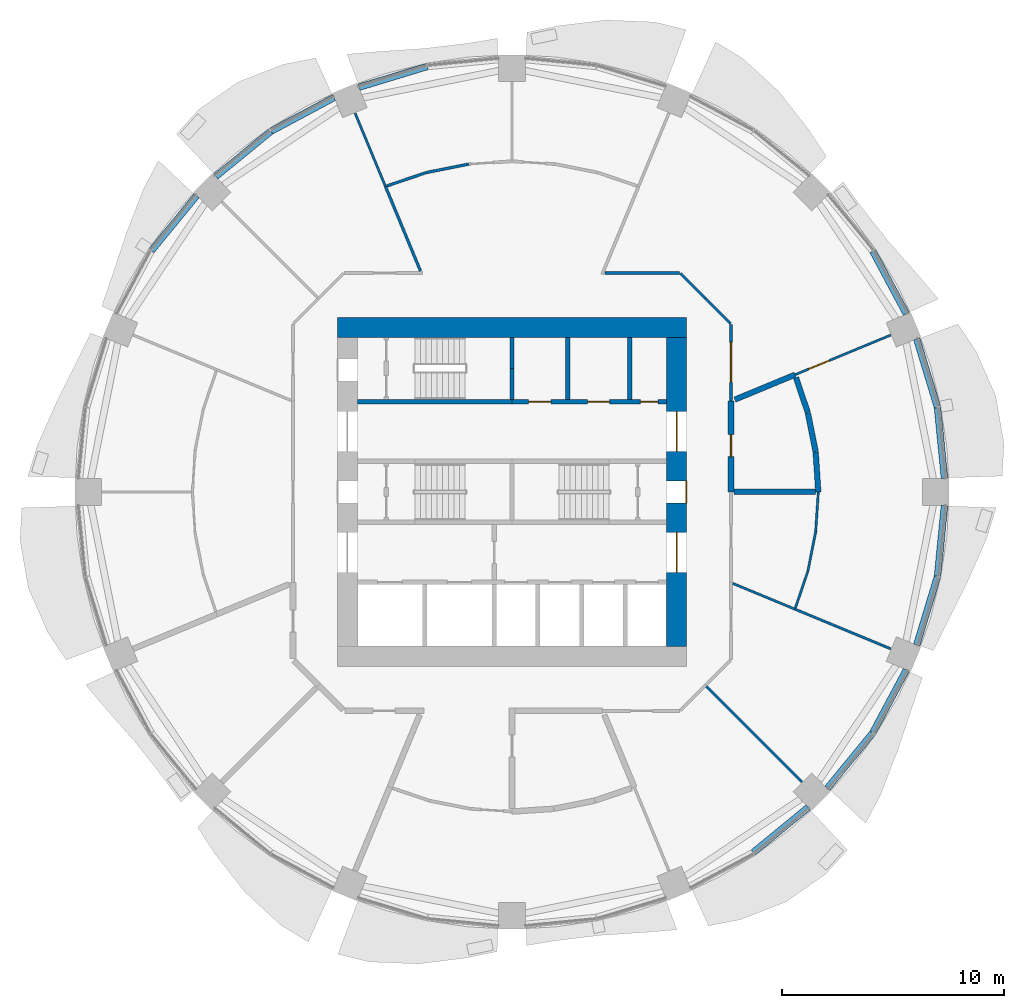
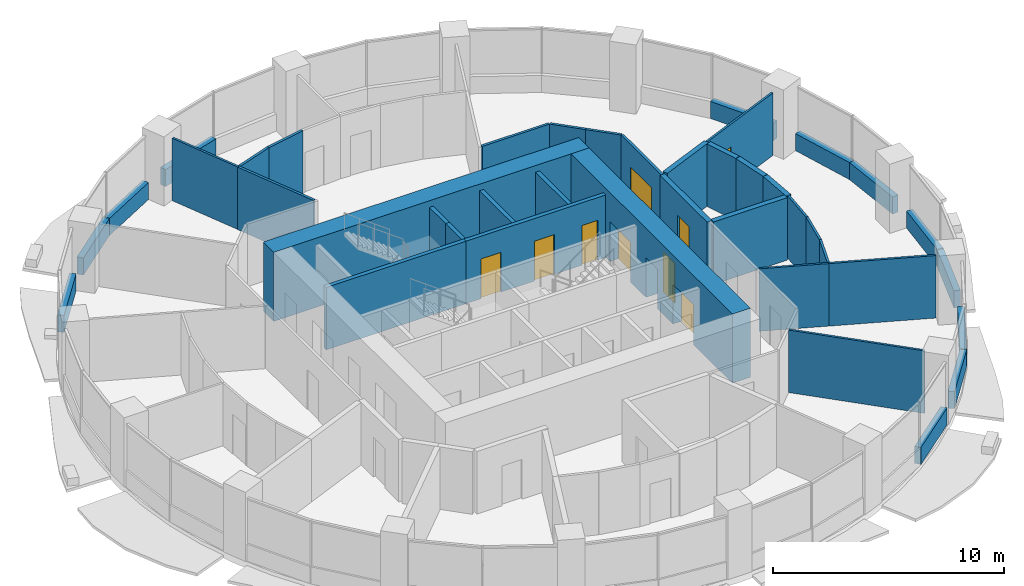
# One storey, part 10 of 15: 41 walls, 9 doors, 9 openings.
"""IFC4 building model written with IfcOpenShell, lengths in metres."""

import ifcopenshell
import ifcopenshell.guid

model = None  # the IFC model being written
_history = None  # IfcOwnerHistory: only IFC2X3 demands one
_inside = {}  # id of a spatial element -> (the spatial element, [elements in it])
_under = {}  # id of a project, library or spatial element -> (it, [spatial elements below it])
_declared = {}  # id of a project -> (the project, [libraries it declares])
_typed = {}  # id of a type object -> (the type object, [elements of that type])
_made_of = {}  # id of a material, layer set ... -> (it, [elements and type objects made of it])


def new_model(schema):
    """Start an empty IFC model of exactly this schema.

    Asked for "IFC4X3", IfcOpenShell would pick the latest addendum, in which some entities
    have other attributes; the version numbers below select the first issue.
    IFC2X3 requires an IfcOwnerHistory on every rooted entity: one is made here for all.
    """
    global model, _history
    if schema == "IFC4X3":
        model = ifcopenshell.file(schema_version=(4, 3, 0, 0))
    else:
        model = ifcopenshell.file(schema=schema)
    _inside.clear()
    _under.clear()
    _declared.clear()
    _typed.clear()
    _made_of.clear()
    _history = None
    if model.schema == "IFC2X3":
        org = make("IfcOrganization", Name="unknown")
        user = make(
            "IfcPersonAndOrganization",
            ThePerson=make("IfcPerson", FamilyName="unknown"),
            TheOrganization=org,
        )
        app = make(
            "IfcApplication",
            ApplicationDeveloper=org,
            Version="unknown",
            ApplicationFullName="unknown",
            ApplicationIdentifier="unknown",
        )
        _history = make(
            "IfcOwnerHistory",
            OwningUser=user,
            OwningApplication=app,
            ChangeAction="ADDED",
            CreationDate=0,
        )
    return model


def make(cls, **values):
    """One entity of the class cls with the attributes given. An attribute that is None is left unset."""
    return model.create_entity(
        cls, **{name: value for name, value in values.items() if value is not None}
    )


def rooted(cls, **values):
    """An entity with a GlobalId (a new one), such as an element, a storey or a relation."""
    return make(cls, GlobalId=ifcopenshell.guid.new(), OwnerHistory=_history, **values)


def si_unit(unit_type, name, prefix=None):
    """IfcSIUnit, for example si_unit("LENGTHUNIT", "METRE", prefix="MILLI")."""
    return make("IfcSIUnit", UnitType=unit_type, Prefix=prefix, Name=name)


def assignment(units):
    """IfcUnitAssignment: the units of a project."""
    return None if units is None else make("IfcUnitAssignment", Units=units)


def point(xyz):
    """IfcCartesianPoint."""
    return None if xyz is None else make("IfcCartesianPoint", Coordinates=xyz)


def direction(xyz):
    """IfcDirection."""
    return None if xyz is None else make("IfcDirection", DirectionRatios=xyz)


def frame(location, z_axis=None, x_axis=None):
    """IfcAxis2Placement3D, a coordinate frame: its origin and axes. An axis left out is left unset."""
    return make(
        "IfcAxis2Placement3D",
        Location=point(location),
        Axis=direction(z_axis),
        RefDirection=direction(x_axis),
    )


def frame_2d(location, x_axis=None):
    """IfcAxis2Placement2D, a coordinate frame in the plane: its origin and x axis."""
    return make(
        "IfcAxis2Placement2D", Location=point(location), RefDirection=direction(x_axis)
    )


def origin():
    """The frame at (0, 0, 0) with its axes left unset."""
    return frame((0.0, 0.0, 0.0))


def place(relative_to, where):
    """IfcLocalPlacement: puts the frame where relative to a parent placement (None: the world)."""
    return make(
        "IfcLocalPlacement", PlacementRelTo=relative_to, RelativePlacement=where
    )


def context(
    kind, dimensions, precision=None, world=None, true_north=None, identifier=None
):
    """IfcGeometricRepresentationContext, for example the 3D "Model" context."""
    return make(
        "IfcGeometricRepresentationContext",
        ContextIdentifier=identifier,
        ContextType=kind,
        CoordinateSpaceDimension=dimensions,
        Precision=precision,
        WorldCoordinateSystem=world,
        TrueNorth=true_north,
    )


def subcontext(parent, identifier, kind, view, scale=None):
    """IfcGeometricRepresentationSubContext, for example "Body" below "Model"."""
    return make(
        "IfcGeometricRepresentationSubContext",
        ContextIdentifier=identifier,
        ContextType=kind,
        ParentContext=parent,
        TargetScale=scale,
        TargetView=view,
    )


def project(units=None, contexts=None):
    """IfcProject with its units and contexts."""
    return rooted(
        "IfcProject",
        Name="project",
        RepresentationContexts=contexts,
        UnitsInContext=assignment(units),
    )


def spatial(cls, under=None, at=None, **own):
    """A site, building, storey or space (cls), placed at a placement, below another one or the project."""
    s = rooted(cls, ObjectPlacement=at, **own)
    if under is not None:
        _under.setdefault(under.id(), (under, []))[1].append(s)
    return s


def profile(cls, at=None, kind="AREA", **sizes):
    """A parametric profile (cls). Its sizes go by their IFC names, for example OverallWidth=200.0."""
    return make(cls, ProfileType=kind, Position=at, **sizes)


def rectangle(**sizes):
    """IfcRectangleProfileDef."""
    return profile("IfcRectangleProfileDef", **sizes)


def extrude(swept, where, along, depth):
    """IfcExtrudedAreaSolid: the profile swept, set in the frame where, extruded along a direction by depth."""
    return make(
        "IfcExtrudedAreaSolid",
        SweptArea=swept,
        Position=where,
        ExtrudedDirection=direction(along),
        Depth=depth,
    )


def shape(context_of_items, identifier, shape_type, items):
    """IfcShapeRepresentation: the items that make up one representation, for example the "Body"."""
    return make(
        "IfcShapeRepresentation",
        ContextOfItems=context_of_items,
        RepresentationIdentifier=identifier,
        RepresentationType=shape_type,
        Items=items,
    )


def material(Name=None, Category=None):
    """IfcMaterial."""
    return make("IfcMaterial", Name=Name, Category=Category)


def layer(
    of_material, thickness, ventilated=None, Name=None, Category=None, Priority=None
):
    """IfcMaterialLayer: one layer of a wall or slab, of a material (None: an air gap)."""
    return make(
        "IfcMaterialLayer",
        Material=of_material,
        LayerThickness=thickness,
        IsVentilated=ventilated,
        Name=Name,
        Category=Category,
        Priority=Priority,
    )


def layer_set(layers, Name=None):
    """IfcMaterialLayerSet."""
    return make("IfcMaterialLayerSet", MaterialLayers=layers, LayerSetName=Name)


def made_of(thing, what):
    """Note that an element or type object is made of a material, layer set ...; save() writes the relation."""
    if what is not None:
        _made_of.setdefault(what.id(), (what, []))[1].append(thing)
    return thing


def type_object(cls, material=None, **own):
    """A type object (cls), such as IfcWallType, which elements share."""
    return made_of(rooted(cls, **own), material)


def element(
    cls,
    number,
    at=None,
    inside=None,
    cuts=None,
    type_object=None,
    material=None,
    context=None,
    identifier="Body",
    shape_type=None,
    held_by="IfcProductDefinitionShape",
    body=None,
    shapes=None,
    **own,
):
    """One element of the class cls, such as IfcWall. Its Tag is "e" and its number.

    at: its placement. inside: the storey or other place that contains it. cuts: it is an
    opening in that element (IfcRelVoidsElement). A single representation is given by context,
    identifier, shape_type and body (its items); several are given by shapes. held_by: the class
    of the entity that holds the representations. save() writes the other relations.
    """
    e = rooted(cls, Tag="e%d" % number, ObjectPlacement=at, **own)
    if body is not None:
        shapes = [shape(context, identifier, shape_type, body)]
    if shapes is not None:
        e.Representation = make(held_by, Representations=shapes)
    if inside is not None:
        _inside.setdefault(inside.id(), (inside, []))[1].append(e)
    if cuts is not None:
        rooted(
            "IfcRelVoidsElement", RelatingBuildingElement=cuts, RelatedOpeningElement=e
        )
    if type_object is not None:
        _typed.setdefault(type_object.id(), (type_object, []))[1].append(e)
    return made_of(e, material)


def fill(opening, filler):
    """IfcRelFillsElement: the door or window that sits in an opening."""
    return rooted(
        "IfcRelFillsElement",
        RelatingOpeningElement=opening,
        RelatedBuildingElement=filler,
    )


def aggregate(whole, parts):
    """IfcRelAggregates: a whole, such as a stair, and the parts it consists of."""
    return rooted("IfcRelAggregates", RelatingObject=whole, RelatedObjects=parts)


def save(model, path):
    """Write the relations noted so far, then the file.

    IfcRelAggregates (storeys below a building ...), IfcRelContainedInSpatialStructure (elements
    in a storey), IfcRelDefinesByType, IfcRelAssociatesMaterial and IfcRelDeclares: one each for
    every whole, place, type object, material and project.
    """
    for whole, parts in _under.values():
        aggregate(whole, parts)
    for where, things in _inside.values():
        rooted(
            "IfcRelContainedInSpatialStructure",
            RelatedElements=things,
            RelatingStructure=where,
        )
    for kind, things in _typed.values():
        rooted("IfcRelDefinesByType", RelatedObjects=things, RelatingType=kind)
    for what, things in _made_of.values():
        rooted("IfcRelAssociatesMaterial", RelatedObjects=things, RelatingMaterial=what)
    for by, libraries in _declared.values():
        rooted("IfcRelDeclares", RelatingContext=by, RelatedDefinitions=libraries)
    model.write(path)


model = new_model("IFC4")

# Units and contexts
model_context = context("Model", 3, precision=1e-05, world=origin(), true_north=direction((0.0, 1.0)))
body_context = subcontext(model_context, "Body", "Model", "MODEL_VIEW")
ifc_project = project(units=[si_unit("LENGTHUNIT", "METRE"), si_unit("AREAUNIT", "SQUARE_METRE"), si_unit("VOLUMEUNIT", "CUBIC_METRE"), si_unit("PLANEANGLEUNIT", "RADIAN"), si_unit("MASSUNIT", "GRAM", prefix="KILO")], contexts=[model_context])

# Site, building, storey
site_placement = place(None, origin())
site = spatial("IfcSite", under=ifc_project, at=site_placement, CompositionType="ELEMENT")
building_placement = place(site_placement, origin())
building = spatial("IfcBuilding", under=site, at=building_placement, Name="Polderwave Tower", CompositionType="ELEMENT")
storey_placement = place(building_placement, frame((0.0, 0.0, 37.14990234375)))
storey = spatial("IfcBuildingStorey", under=building, at=storey_placement, Name="L09", CompositionType="ELEMENT", Elevation=37.14990234375)

# Wall
ifc_material_1 = material(Name="Concrete C80/95", Category="concrete")
ifc_layer_1 = layer(ifc_material_1, 0.89990234375)
ifc_layer_set_1 = layer_set([ifc_layer_1], Name="CORE WALL 900 C80/95")
wall_type_1 = type_object("IfcWallType", Name="CORE WALL 900 C80/95", PredefinedType="SHEAR", material=ifc_layer_set_1)
wall_1_placement = place(storey_placement, frame((-7.8740234375, 7.424072265625, 0.0), z_axis=(0.0, 0.0, 1.0), x_axis=(1.0, 0.0, 0.0)))
element("IfcWall", 1, at=wall_1_placement, inside=storey, type_object=wall_type_1, Name="ST-CORE-L09-N", PredefinedType="SHEAR", context=body_context, shape_type="SweptSolid", body=[
    extrude(rectangle(XDim=15.748046875, YDim=0.89990234375, at=frame_2d((7.8740234375, 0.0))), origin(), (0.0, 0.0, 1.0), 3.650146484375),
])

# Wall, openings, doors
wall_2_placement = place(storey_placement, frame((7.424072265625, -6.97412109375, 0.0), z_axis=(0.0, 0.0, 1.0), x_axis=(0.0, 1.0, 0.0)))
wall_2 = element("IfcWall", 2, at=wall_2_placement, inside=storey, type_object=wall_type_1, Name="ST-CORE-L09-E", PredefinedType="SHEAR", context=body_context, shape_type="SweptSolid", body=[
    extrude(rectangle(XDim=13.9482421875, YDim=0.89990234375, at=frame_2d((6.97412109375, 0.0))), origin(), (0.0, 0.0, 1.0), 3.650146484375),
])
opening_1_placement = place(wall_2_placement, frame((6.47412109375, 0.0, 0.0)))
opening_1 = element("IfcOpeningElement", 3, at=opening_1_placement, cuts=wall_2, Name="Opening L09-D21", PredefinedType="OPENING", context=body_context, shape_type="SweptSolid", body=[
    extrude(rectangle(XDim=1.0, YDim=2.10009765625, at=frame_2d((0.5, 1.050048828125))), frame((0.0, 0.4599609375, 0.0), z_axis=(0.0, -1.0, 0.0), x_axis=(1.0, 0.0, 0.0)), (0.0, 0.0, 1.0), 0.919921875),
])
opening_2_placement = place(wall_2_placement, frame((3.349609375, 0.0, 0.0)))
opening_2 = element("IfcOpeningElement", 4, at=opening_2_placement, cuts=wall_2, Name="Opening L09-D22", PredefinedType="OPENING", context=body_context, shape_type="SweptSolid", body=[
    extrude(rectangle(XDim=1.800048828125, YDim=2.10009765625, at=frame_2d((0.89990234375, 1.050048828125))), frame((0.0, 0.4599609375, 0.0), z_axis=(0.0, -1.0, 0.0), x_axis=(1.0, 0.0, 0.0)), (0.0, 0.0, 1.0), 0.919921875),
])
opening_3_placement = place(wall_2_placement, frame((8.798583984375, 0.0, 0.0)))
opening_3 = element("IfcOpeningElement", 5, at=opening_3_placement, cuts=wall_2, Name="Opening L09-D23", PredefinedType="OPENING", context=body_context, shape_type="SweptSolid", body=[
    extrude(rectangle(XDim=1.800048828125, YDim=2.10009765625, at=frame_2d((0.89990234375, 1.050048828125))), frame((0.0, 0.4599609375, 0.0), z_axis=(0.0, -1.0, 0.0), x_axis=(1.0, 0.0, 0.0)), (0.0, 0.0, 1.0), 0.919921875),
])
ifc_material_2 = material(Name="Steel fire door", Category="steel")
door_type_1 = type_object("IfcDoorType", Name="Lobby entry door pair 1800", OperationType="DOUBLE_DOOR_SINGLE_SWING", PredefinedType="DOOR", material=ifc_material_2)
door_1_placement = place(opening_2_placement, frame((1.800048828125, 0.0, 0.0), z_axis=(0.0, 0.0, 1.0), x_axis=(-1.0, 0.0, 0.0)))
door_1 = element("IfcDoor", 6, at=door_1_placement, inside=storey, type_object=door_type_1, Name="South lobby entry door", OperationType="DOUBLE_DOOR_SINGLE_SWING", OverallHeight=2.10009765625, OverallWidth=1.800048828125, PredefinedType="DOOR", context=body_context, shape_type="SweptSolid", body=[
    extrude(rectangle(XDim=1.800048828125, YDim=2.10009765625, at=frame_2d((0.89990234375, 1.050048828125))), frame((0.0, 0.02490234375, 0.0), z_axis=(0.0, -1.0, 0.0), x_axis=(1.0, 0.0, 0.0)), (0.0, 0.0, 1.0), 0.050048828125),
])
fill(opening_2, door_1)
door_2_placement = place(opening_3_placement, frame((1.800048828125, 0.0, 0.0), z_axis=(0.0, 0.0, 1.0), x_axis=(-1.0, 0.0, 0.0)))
door_2 = element("IfcDoor", 7, at=door_2_placement, inside=storey, type_object=door_type_1, Name="North lobby entry door", OperationType="DOUBLE_DOOR_SINGLE_SWING", OverallHeight=2.10009765625, OverallWidth=1.800048828125, PredefinedType="DOOR", context=body_context, shape_type="SweptSolid", body=[
    extrude(rectangle(XDim=1.800048828125, YDim=2.10009765625, at=frame_2d((0.89990234375, 1.050048828125))), frame((0.0, 0.02490234375, 0.0), z_axis=(0.0, -1.0, 0.0), x_axis=(1.0, 0.0, 0.0)), (0.0, 0.0, 1.0), 0.050048828125),
])
fill(opening_3, door_2)
door_type_2 = type_object("IfcDoorType", Name="Stair door 1000", OperationType="NOTDEFINED", PredefinedType="DOOR", material=ifc_material_2)
door_3_placement = place(opening_1_placement, frame((1.0, 0.0, 0.0), z_axis=(0.0, 0.0, 1.0), x_axis=(-1.0, 0.0, 0.0)))
door_3 = element("IfcDoor", 8, at=door_3_placement, inside=storey, type_object=door_type_2, Name="Stair B entry door", OperationType="SINGLE_SWING_LEFT", OverallHeight=2.10009765625, OverallWidth=1.0, PredefinedType="DOOR", context=body_context, shape_type="SweptSolid", body=[
    extrude(rectangle(XDim=1.0, YDim=2.10009765625, at=frame_2d((0.5, 1.050048828125))), frame((0.0, 0.4501953125, 0.0), z_axis=(0.0, -1.0, 0.0), x_axis=(1.0, 0.0, 0.0)), (0.0, 0.0, 1.0), 0.050048828125),
])
fill(opening_1, door_3)

# Walls
ifc_material_3 = material(Name="Concrete C50/60 (board-marked)", Category="concrete")
ifc_layer_2 = layer(ifc_material_3, 0.300048828125)
ifc_layer_set_2 = layer_set([ifc_layer_2], Name="Concrete spandrel upstand C50/60")
wall_type_2 = type_object("IfcWallType", Name="Concrete spandrel upstand C50/60", PredefinedType="SOLIDWALL", material=ifc_layer_set_2)
wall_3_placement = place(storey_placement, frame((19.49951171875, 0.61279296875, 0.0), z_axis=(0.0, 0.0, 1.0), x_axis=(-0.098002102993, 0.995186207606, 0.0)))
element("IfcWall", 9, at=wall_3_placement, inside=storey, type_object=wall_type_2, Name="Spandrel L09 1a", PredefinedType="SOLIDWALL", context=body_context, shape_type="SweptSolid", body=[
    extrude(rectangle(XDim=3.20361328125, YDim=0.300048828125, at=frame_2d((1.601806640625, 0.0))), origin(), (0.0, 0.0, 1.0), 0.900146484375),
])
wall_4_placement = place(storey_placement, frame((19.1796875, 3.830322265625, 0.0), z_axis=(0.0, 0.0, 1.0), x_axis=(-0.290472877795, 0.956883225512, 0.0)))
element("IfcWall", 10, at=wall_4_placement, inside=storey, type_object=wall_type_2, Name="Spandrel L09 1b", PredefinedType="SOLIDWALL", context=body_context, shape_type="SweptSolid", body=[
    extrude(rectangle(XDim=3.202392578125, YDim=0.300048828125, at=frame_2d((1.60107421875, 0.0))), origin(), (0.0, 0.0, 1.0), 0.900146484375),
])
wall_5_placement = place(storey_placement, frame((17.77978515625, 8.0283203125, 0.0), z_axis=(0.0, 0.0, 1.0), x_axis=(-0.471284265614, 0.881981372243, 0.0)))
element("IfcWall", 11, at=wall_5_placement, inside=storey, type_object=wall_type_2, Name="Spandrel L09 2a", PredefinedType="SOLIDWALL", context=body_context, shape_type="SweptSolid", body=[
    extrude(rectangle(XDim=3.20361328125, YDim=0.300048828125, at=frame_2d((1.601806640625, 0.0))), origin(), (0.0, 0.0, 1.0), 0.900146484375),
])
wall_6_placement = place(storey_placement, frame((-3.830322265625, 19.1796875, 0.0), z_axis=(0.0, 0.0, 1.0), x_axis=(-0.956883225512, -0.290472877795, 0.0)))
element("IfcWall", 12, at=wall_6_placement, inside=storey, type_object=wall_type_2, Name="Spandrel L09 5b", PredefinedType="SOLIDWALL", context=body_context, shape_type="SweptSolid", body=[
    extrude(rectangle(XDim=3.202392578125, YDim=0.300048828125, at=frame_2d((1.60107421875, 0.0))), origin(), (0.0, 0.0, 1.0), 0.900146484375),
])
wall_7_placement = place(storey_placement, frame((-8.0283203125, 17.77978515625, 0.0), z_axis=(0.0, 0.0, 1.0), x_axis=(-0.881981372243, -0.471284265614, 0.0)))
element("IfcWall", 13, at=wall_7_placement, inside=storey, type_object=wall_type_2, Name="Spandrel L09 6a", PredefinedType="SOLIDWALL", context=body_context, shape_type="SweptSolid", body=[
    extrude(rectangle(XDim=3.20361328125, YDim=0.300048828125, at=frame_2d((1.601806640625, 0.0))), origin(), (0.0, 0.0, 1.0), 0.900146484375),
])
for number, where, z_axis, x_axis, name in (
    (14, (-10.878662109375, 16.25341796875, 0.0), (0.0, 0.0, 1.0), (-0.773141427091, -0.634233658611, 0.0), "Spandrel L09 6b"),
    (15, (-14.222412109375, 13.3544921875, 0.0), (0.0, 0.0, 1.0), (-0.634233658611, -0.773141427091, 0.0), "Spandrel L09 7a"),
    (16, (10.878662109375, -16.25341796875, 0.0), (0.0, 0.0, 1.0), (0.773141427091, 0.634233658611, 0.0), "Spandrel L09 14b"),
    (17, (14.222412109375, -13.3544921875, 0.0), (0.0, 0.0, 1.0), (0.634233658611, 0.773141427091, 0.0), "Spandrel L09 15a"),
):
    element("IfcWall", number, at=place(storey_placement, frame(where, z_axis=z_axis, x_axis=x_axis)), inside=storey, type_object=wall_type_2, Name=name, PredefinedType="SOLIDWALL", context=body_context, shape_type="SweptSolid", body=[
        extrude(rectangle(XDim=3.202392578125, YDim=0.300048828125, at=frame_2d((1.60107421875, 0.0))), origin(), (0.0, 0.0, 1.0), 0.900146484375),
    ])
wall_8_placement = place(storey_placement, frame((16.27001953125, -10.853759765625, 0.0), z_axis=(0.0, 0.0, 1.0), x_axis=(0.471284265614, 0.881981372243, 0.0)))
element("IfcWall", 18, at=wall_8_placement, inside=storey, type_object=wall_type_2, Name="Spandrel L09 15b", PredefinedType="SOLIDWALL", context=body_context, shape_type="SweptSolid", body=[
    extrude(rectangle(XDim=3.20361328125, YDim=0.300048828125, at=frame_2d((1.601806640625, 0.0))), origin(), (0.0, 0.0, 1.0), 0.900146484375),
])
wall_9_placement = place(storey_placement, frame((18.24951171875, -6.89453125, 0.0), z_axis=(0.0, 0.0, 1.0), x_axis=(0.290472877795, 0.956883225512, 0.0)))
element("IfcWall", 19, at=wall_9_placement, inside=storey, type_object=wall_type_2, Name="Spandrel L09 16a", PredefinedType="SOLIDWALL", context=body_context, shape_type="SweptSolid", body=[
    extrude(rectangle(XDim=3.202392578125, YDim=0.300048828125, at=frame_2d((1.60107421875, 0.0))), origin(), (0.0, 0.0, 1.0), 0.900146484375),
])
wall_10_placement = place(storey_placement, frame((19.185546875, -3.801025390625, 0.0), z_axis=(0.0, 0.0, 1.0), x_axis=(0.098002102993, 0.995186207606, 0.0)))
element("IfcWall", 20, at=wall_10_placement, inside=storey, type_object=wall_type_2, Name="Spandrel L09 16b", PredefinedType="SOLIDWALL", context=body_context, shape_type="SweptSolid", body=[
    extrude(rectangle(XDim=3.20361328125, YDim=0.300048828125, at=frame_2d((1.601806640625, 0.0))), origin(), (0.0, 0.0, 1.0), 0.900146484375),
])
ifc_material_4 = material(Name="Gypsum board partition")
ifc_layer_3 = layer(ifc_material_4, 0.199951171875)
ifc_layer_set_3 = layer_set([ifc_layer_3], Name="Core room partition 200")
wall_type_3 = type_object("IfcWallType", Name="Core room partition 200", PredefinedType="PARTITIONING", material=ifc_layer_set_3)
wall_11_placement = place(storey_placement, frame((2.508544921875, 4.174072265625, 0.0), z_axis=(0.0, 0.0, 1.0), x_axis=(0.0, 1.0, 0.0)))
element("IfcWall", 21, at=wall_11_placement, inside=storey, type_object=wall_type_3, Name="L09 room partition N1", PredefinedType="PARTITIONING", context=body_context, shape_type="SweptSolid", body=[
    extrude(rectangle(XDim=2.800048828125, YDim=0.199951171875, at=frame_2d((1.39990234375, 0.0))), origin(), (0.0, 0.0, 1.0), 3.300048828125),
])
ifc_material_5 = material(Name="Concrete C50/60", Category="concrete")
ifc_layer_4 = layer(ifc_material_5, 0.199951171875)
ifc_layer_set_4 = layer_set([ifc_layer_4], Name="Core web wall 200")
wall_type_4 = type_object("IfcWallType", Name="Core web wall 200", PredefinedType="SHEAR", material=ifc_layer_set_4)
wall_12_placement = place(storey_placement, frame((-6.97412109375, 4.073974609375, 0.0), z_axis=(0.0, 0.0, 1.0), x_axis=(1.0, 0.0, 0.0)))
element("IfcWall", 22, at=wall_12_placement, inside=storey, type_object=wall_type_4, Name="L09 north front wall 1", PredefinedType="SHEAR", context=body_context, shape_type="SweptSolid", body=[
    extrude(rectangle(XDim=6.97412109375, YDim=0.199951171875, at=frame_2d((3.487060546875, 0.0))), origin(), (0.0, 0.0, 1.0), 3.300048828125),
])

# Wall, openings, doors
wall_13_placement = place(storey_placement, frame((0.0, 4.073974609375, 0.0), z_axis=(0.0, 0.0, 1.0), x_axis=(1.0, 0.0, 0.0)))
wall_13 = element("IfcWall", 23, at=wall_13_placement, inside=storey, type_object=wall_type_4, Name="L09 north front wall 2", PredefinedType="SHEAR", context=body_context, shape_type="SweptSolid", body=[
    extrude(rectangle(XDim=6.97412109375, YDim=0.199951171875, at=frame_2d((3.487060546875, 0.0))), origin(), (0.0, 0.0, 1.0), 3.300048828125),
])
opening_4_placement = place(wall_13_placement, frame((0.754150390625, 0.0, 0.0)))
opening_4 = element("IfcOpeningElement", 24, at=opening_4_placement, cuts=wall_13, Name="Opening L09-D14", PredefinedType="OPENING", context=body_context, shape_type="SweptSolid", body=[
    extrude(rectangle(XDim=1.0, YDim=2.10009765625, at=frame_2d((0.5, 1.050048828125))), frame((0.0, 0.10986328125, 0.0), z_axis=(0.0, -1.0, 0.0), x_axis=(1.0, 0.0, 0.0)), (0.0, 0.0, 1.0), 0.219970703125),
])
opening_5_placement = place(wall_13_placement, frame((3.406982421875, 0.0, 0.0)))
opening_5 = element("IfcOpeningElement", 25, at=opening_5_placement, cuts=wall_13, Name="Opening L09-D15", PredefinedType="OPENING", context=body_context, shape_type="SweptSolid", body=[
    extrude(rectangle(XDim=1.0, YDim=2.10009765625, at=frame_2d((0.5, 1.050048828125))), frame((0.0, 0.10986328125, 0.0), z_axis=(0.0, -1.0, 0.0), x_axis=(1.0, 0.0, 0.0)), (0.0, 0.0, 1.0), 0.219970703125),
])
opening_6_placement = place(wall_13_placement, frame((5.789794921875, 0.0, 0.0)))
opening_6 = element("IfcOpeningElement", 26, at=opening_6_placement, cuts=wall_13, Name="Opening L09-D16", PredefinedType="OPENING", context=body_context, shape_type="SweptSolid", body=[
    extrude(rectangle(XDim=0.800048828125, YDim=2.10009765625, at=frame_2d((0.39990234375, 1.050048828125))), frame((0.0, 0.10986328125, 0.0), z_axis=(0.0, -1.0, 0.0), x_axis=(1.0, 0.0, 0.0)), (0.0, 0.0, 1.0), 0.219970703125),
])
ifc_material_6 = material(Name="Timber door leaf", Category="wood")
door_type_3 = type_object("IfcDoorType", Name="Accessible WC door 1000", OperationType="NOTDEFINED", PredefinedType="DOOR", material=ifc_material_6)
door_4_placement = place(opening_4_placement, origin())
door_4 = element("IfcDoor", 27, at=door_4_placement, inside=storey, type_object=door_type_3, Name="Accessible WC door", OperationType="SINGLE_SWING_LEFT", OverallHeight=2.10009765625, OverallWidth=1.0, PredefinedType="DOOR", context=body_context, shape_type="SweptSolid", body=[
    extrude(rectangle(XDim=1.0, YDim=2.10009765625, at=frame_2d((0.5, 1.050048828125))), frame((0.0, 0.02490234375, 0.0), z_axis=(0.0, -1.0, 0.0), x_axis=(1.0, 0.0, 0.0)), (0.0, 0.0, 1.0), 0.050048828125),
])
fill(opening_4, door_4)
door_type_4 = type_object("IfcDoorType", Name="Riser door 800", OperationType="NOTDEFINED", PredefinedType="DOOR", material=ifc_material_2)
door_5_placement = place(opening_6_placement, frame((0.800048828125, 0.0, 0.0), z_axis=(0.0, 0.0, 1.0), x_axis=(-1.0, 0.0, 0.0)))
door_5 = element("IfcDoor", 28, at=door_5_placement, inside=storey, type_object=door_type_4, Name="Riser door", OperationType="SINGLE_SWING_LEFT", OverallHeight=2.10009765625, OverallWidth=0.800048828125, PredefinedType="DOOR", context=body_context, shape_type="SweptSolid", body=[
    extrude(rectangle(XDim=0.800048828125, YDim=2.10009765625, at=frame_2d((0.39990234375, 1.050048828125))), frame((0.0, 0.02490234375, 0.0), z_axis=(0.0, -1.0, 0.0), x_axis=(1.0, 0.0, 0.0)), (0.0, 0.0, 1.0), 0.050048828125),
])
fill(opening_6, door_5)
door_type_5 = type_object("IfcDoorType", Name="Room door 1000", OperationType="NOTDEFINED", PredefinedType="DOOR", material=ifc_material_6)
door_6_placement = place(opening_5_placement, origin())
door_6 = element("IfcDoor", 29, at=door_6_placement, inside=storey, type_object=door_type_5, Name="Nutrient dosing room door", OperationType="SINGLE_SWING_RIGHT", OverallHeight=2.10009765625, OverallWidth=1.0, PredefinedType="DOOR", context=body_context, shape_type="SweptSolid", body=[
    extrude(rectangle(XDim=1.0, YDim=2.10009765625, at=frame_2d((0.5, 1.050048828125))), frame((0.0, 0.02490234375, 0.0), z_axis=(0.0, -1.0, 0.0), x_axis=(1.0, 0.0, 0.0)), (0.0, 0.0, 1.0), 0.050048828125),
])
fill(opening_5, door_6)

# Walls
wall_14_placement = place(storey_placement, frame((0.0, 4.174072265625, 0.0), z_axis=(0.0, 0.0, 1.0), x_axis=(0.0, 1.0, 0.0)))
element("IfcWall", 30, at=wall_14_placement, inside=storey, type_object=wall_type_4, Name="L09 stair C wall south", PredefinedType="SHEAR", context=body_context, shape_type="SweptSolid", body=[
    extrude(rectangle(XDim=1.39990234375, YDim=0.199951171875, at=frame_2d((0.699951171875, 0.0))), origin(), (0.0, 0.0, 1.0), 3.300048828125),
])
wall_15_placement = place(storey_placement, frame((0.0, 5.573974609375, 0.0), z_axis=(0.0, 0.0, 1.0), x_axis=(0.0, 1.0, 0.0)))
element("IfcWall", 31, at=wall_15_placement, inside=storey, type_object=wall_type_4, Name="L09 stair C wall north", PredefinedType="SHEAR", context=body_context, shape_type="SweptSolid", body=[
    extrude(rectangle(XDim=1.400146484375, YDim=0.199951171875, at=frame_2d((0.7001953125, 0.0))), origin(), (0.0, 0.0, 1.0), 3.300048828125),
])
ifc_material_7 = material(Name="Fire-resisting board on steel studs", Category="steel")
ifc_layer_5 = layer(ifc_material_7, 0.125)
ifc_layer_set_5 = layer_set([ifc_layer_5], Name="Corridor wall 125 mm EI 60")
wall_type_5 = type_object("IfcWallType", Name="Corridor wall 125 mm EI 60", PredefinedType="PARTITIONING", material=ifc_layer_set_5)
wall_16_placement = place(storey_placement, frame((8.722412109375, 8.722412109375, 0.0), z_axis=(0.0, 0.0, 1.0), x_axis=(0.70718294931, -0.707030604857, 0.0)))
element("IfcWall", 32, at=wall_16_placement, inside=storey, type_object=wall_type_5, Name="IN-L09-W002", PredefinedType="PARTITIONING", context=body_context, shape_type="SweptSolid", body=[
    extrude(rectangle(XDim=1.6025390625, YDim=0.125, at=frame_2d((0.80126953125, 0.0))), origin(), (0.0, 0.0, 1.0), 3.300048828125),
])

# Wall, opening, door
wall_17_placement = place(storey_placement, frame((9.8740234375, 7.545166015625, 0.0), z_axis=(0.0, 0.0, 1.0), x_axis=(0.0, -1.0, 0.0)))
wall_17 = element("IfcWall", 33, at=wall_17_placement, inside=storey, type_object=wall_type_5, Name="IN-L09-W003", PredefinedType="PARTITIONING", context=body_context, shape_type="SweptSolid", body=[
    extrude(rectangle(XDim=3.455322265625, YDim=0.125, at=frame_2d((1.7275390625, 0.0))), origin(), (0.0, 0.0, 1.0), 3.300048828125),
])
opening_7_placement = place(wall_17_placement, frame((0.800048828125, 0.0, 0.0)))
opening_7 = element("IfcOpeningElement", 34, at=opening_7_placement, cuts=wall_17, Name="Opening L09-D51", PredefinedType="OPENING", context=body_context, shape_type="SweptSolid", body=[
    extrude(rectangle(XDim=1.800048828125, YDim=2.10009765625, at=frame_2d((0.89990234375, 1.050048828125))), frame((0.0, 0.072509765625, 0.0), z_axis=(0.0, -1.0, 0.0), x_axis=(1.0, 0.0, 0.0)), (0.0, 0.0, 1.0), 0.14501953125),
])
ifc_material_8 = material(Name="Timber fire door leaves", Category="wood")
door_type_6 = type_object("IfcDoorType", Name="Double fire door FD30S 1800 x 2100", OperationType="NOTDEFINED", PredefinedType="DOOR", material=ifc_material_8)
door_7_placement = place(opening_7_placement, origin())
door_7 = element("IfcDoor", 35, at=door_7_placement, inside=storey, type_object=door_type_6, Name="Door L09-D51", OperationType="DOUBLE_DOOR_SINGLE_SWING", OverallHeight=2.10009765625, OverallWidth=1.800048828125, PredefinedType="DOOR", context=body_context, shape_type="SweptSolid", body=[
    extrude(rectangle(XDim=1.800048828125, YDim=2.10009765625, at=frame_2d((0.89990234375, 1.050048828125))), frame((0.0, 0.02490234375, 0.0), z_axis=(0.0, -1.0, 0.0), x_axis=(1.0, 0.0, 0.0)), (0.0, 0.0, 1.0), 0.050048828125),
])
fill(opening_7, door_7)

# Walls
wall_18_placement = place(storey_placement, frame((4.183349609375, 9.8740234375, 0.0), z_axis=(0.0, 0.0, 1.0), x_axis=(1.0, 0.0, 0.0)))
element("IfcWall", 36, at=wall_18_placement, inside=storey, type_object=wall_type_5, Name="IN-L09-W007", PredefinedType="PARTITIONING", context=body_context, shape_type="SweptSolid", body=[
    extrude(rectangle(XDim=3.36181640625, YDim=0.125, at=frame_2d((1.680908203125, 0.0))), origin(), (0.0, 0.0, 1.0), 3.300048828125),
])
wall_19_placement = place(storey_placement, frame((7.58935546875, 9.855712890625, 0.0), z_axis=(0.0, 0.0, 1.0), x_axis=(0.707030604857, -0.70718294931, 0.0)))
element("IfcWall", 37, at=wall_19_placement, inside=storey, type_object=wall_type_5, Name="IN-L09-W008", PredefinedType="PARTITIONING", context=body_context, shape_type="SweptSolid", body=[
    extrude(rectangle(XDim=1.6025390625, YDim=0.125, at=frame_2d((0.80126953125, 0.0))), origin(), (0.0, 0.0, 1.0), 3.300048828125),
])
wall_20_placement = place(storey_placement, frame((-5.642578125, 13.796630859375, 0.0), z_axis=(0.0, 0.0, 1.0), x_axis=(0.94695470169, 0.321367068859, 0.0)))
element("IfcWall", 38, at=wall_20_placement, inside=storey, type_object=wall_type_5, Name="IN-L09-W037", PredefinedType="PARTITIONING", context=body_context, shape_type="SweptSolid", body=[
    extrude(rectangle(XDim=1.87939453125, YDim=0.125, at=frame_2d((0.939697265625, 0.0))), origin(), (0.0, 0.0, 1.0), 3.300048828125),
])
wall_21_placement = place(storey_placement, frame((-3.85498046875, 14.40283203125, 0.0), z_axis=(0.0, 0.0, 1.0), x_axis=(0.980807266515, 0.194979757801, 0.0)))
element("IfcWall", 39, at=wall_21_placement, inside=storey, type_object=wall_type_5, Name="IN-L09-W038", PredefinedType="PARTITIONING", context=body_context, shape_type="SweptSolid", body=[
    extrude(rectangle(XDim=1.942138671875, YDim=0.125, at=frame_2d((0.97119140625, 0.0))), origin(), (0.0, 0.0, 1.0), 3.300048828125),
])
wall_22_placement = place(storey_placement, frame((-4.125732421875, 9.96044921875, 0.0), z_axis=(0.0, 0.0, 1.0), x_axis=(-0.382699951867, 0.923872689736, 0.0)))
element("IfcWall", 40, at=wall_22_placement, inside=storey, type_object=wall_type_5, Name="IN-L09-W040", PredefinedType="PARTITIONING", context=body_context, shape_type="SweptSolid", body=[
    extrude(rectangle(XDim=4.128662109375, YDim=0.125, at=frame_2d((2.064453125, 0.0))), origin(), (0.0, 0.0, 1.0), 3.300048828125),
])

# Wall, opening, door
ifc_material_9 = material(Name="Plasterboard on steel studs", Category="steel")
ifc_layer_6 = layer(ifc_material_9, 0.10009765625)
ifc_layer_set_6 = layer_set([ifc_layer_6], Name="Partition 100 mm plasterboard on steel studs")
wall_type_6 = type_object("IfcWallType", Name="Partition 100 mm plasterboard on steel studs", PredefinedType="PARTITIONING", material=ifc_layer_set_6)
wall_23_placement = place(storey_placement, frame((17.0732421875, 7.072021484375, 0.0), z_axis=(0.0, 0.0, 1.0), x_axis=(-0.92387920118, -0.382684232268, 0.0)))
wall_23 = element("IfcWall", 41, at=wall_23_placement, inside=storey, type_object=wall_type_6, Name="IN-L09-W024", PredefinedType="PARTITIONING", context=body_context, shape_type="SweptSolid", body=[
    extrude(rectangle(XDim=4.669921875, YDim=0.10009765625, at=frame_2d((2.3349609375, 0.0))), origin(), (0.0, 0.0, 1.0), 3.300048828125),
])
opening_8_placement = place(wall_23_placement, frame((3.0, 0.0, 0.0)))
opening_8 = element("IfcOpeningElement", 42, at=opening_8_placement, cuts=wall_23, Name="Opening L09-D60", PredefinedType="OPENING", context=body_context, shape_type="SweptSolid", body=[
    extrude(rectangle(XDim=1.0, YDim=2.10009765625, at=frame_2d((0.5, 1.050048828125))), frame((0.0, 0.06005859375, 0.0), z_axis=(0.0, -1.0, 0.0), x_axis=(1.0, 0.0, 0.0)), (0.0, 0.0, 1.0), 0.1201171875),
])
ifc_material_10 = material(Name="Timber veneer door leaf", Category="wood")
door_type_7 = type_object("IfcDoorType", Name="Single door 1000 x 2100", OperationType="NOTDEFINED", PredefinedType="DOOR", material=ifc_material_10)
door_8_placement = place(opening_8_placement, origin())
door_8 = element("IfcDoor", 43, at=door_8_placement, inside=storey, type_object=door_type_7, Name="Door L09-D60", OperationType="SINGLE_SWING_RIGHT", OverallHeight=2.10009765625, OverallWidth=1.0, PredefinedType="DOOR", context=body_context, shape_type="SweptSolid", body=[
    extrude(rectangle(XDim=1.0, YDim=2.10009765625, at=frame_2d((0.5, 1.050048828125))), frame((0.0, 0.02490234375, 0.0), z_axis=(0.0, -1.0, 0.0), x_axis=(1.0, 0.0, 0.0)), (0.0, 0.0, 1.0), 0.050048828125),
])
fill(opening_8, door_8)

# Walls
ifc_material_11 = material(Name="Moisture-resistant board on steel studs, tiled", Category="steel")
ifc_layer_7 = layer(ifc_material_11, 0.10498046875)
ifc_layer_set_7 = layer_set([ifc_layer_7], Name="Partition 105 mm wet room board and tile")
wall_type_7 = type_object("IfcWallType", Name="Partition 105 mm wet room board and tile", PredefinedType="PARTITIONING", material=ifc_layer_set_7)
wall_24_placement = place(storey_placement, frame((12.777587890625, -5.229248046875, 0.0), z_axis=(0.0, 0.0, 1.0), x_axis=(0.321513757885, 0.946904907311, 0.0)))
element("IfcWall", 44, at=wall_24_placement, inside=storey, type_object=wall_type_7, Name="IN-L09-W026", PredefinedType="PARTITIONING", context=body_context, shape_type="SweptSolid", body=[
    extrude(rectangle(XDim=1.744140625, YDim=0.10498046875, at=frame_2d((0.8720703125, 0.0))), origin(), (0.0, 0.0, 1.0), 3.300048828125),
])
wall_25_placement = place(storey_placement, frame((13.340087890625, -3.57080078125, 0.0), z_axis=(0.0, 0.0, 1.0), x_axis=(0.195098478373, 0.980783657968, 0.0)))
element("IfcWall", 45, at=wall_25_placement, inside=storey, type_object=wall_type_7, Name="IN-L09-W027", PredefinedType="PARTITIONING", context=body_context, shape_type="SweptSolid", body=[
    extrude(rectangle(XDim=1.799560546875, YDim=0.10498046875, at=frame_2d((0.89990234375, 0.0))), origin(), (0.0, 0.0, 1.0), 3.300048828125),
])
wall_26_placement = place(storey_placement, frame((13.692138671875, -1.79931640625, 0.0), z_axis=(0.0, 0.0, 1.0), x_axis=(0.065395671101, 0.997859412042, 0.0)))
element("IfcWall", 46, at=wall_26_placement, inside=storey, type_object=wall_type_7, Name="IN-L09-W028", PredefinedType="PARTITIONING", context=body_context, shape_type="SweptSolid", body=[
    extrude(rectangle(XDim=1.80322265625, YDim=0.10498046875, at=frame_2d((0.901611328125, 0.0))), origin(), (0.0, 0.0, 1.0), 3.300048828125),
])
wall_27_placement = place(storey_placement, frame((-5.705810546875, 13.775146484375, 0.0), z_axis=(0.0, 0.0, 1.0), x_axis=(-0.382706138858, 0.923870126847, 0.0)))
element("IfcWall", 47, at=wall_27_placement, inside=storey, type_object=wall_type_7, Name="IN-L09-W041", PredefinedType="PARTITIONING", context=body_context, shape_type="SweptSolid", body=[
    extrude(rectangle(XDim=3.56982421875, YDim=0.10498046875, at=frame_2d((1.784912109375, 0.0))), origin(), (0.0, 0.0, 1.0), 3.300048828125),
])
wall_28_placement = place(storey_placement, frame((8.7666015625, -8.7666015625, 0.0), z_axis=(0.0, 0.0, 1.0), x_axis=(0.707106781187, -0.707106781187, 0.0)))
element("IfcWall", 48, at=wall_28_placement, inside=storey, type_object=wall_type_7, Name="IN-L09-W066", PredefinedType="PARTITIONING", context=body_context, shape_type="SweptSolid", body=[
    extrude(rectangle(XDim=6.082275390625, YDim=0.10498046875, at=frame_2d((3.041015625, 0.0))), origin(), (0.0, 0.0, 1.0), 3.300048828125),
])
wall_29_placement = place(storey_placement, frame((9.95654296875, -4.1240234375, 0.0), z_axis=(0.0, 0.0, 1.0), x_axis=(0.923860842545, -0.382728550819, 0.0)))
element("IfcWall", 49, at=wall_29_placement, inside=storey, type_object=wall_type_7, Name="IN-L09-W067", PredefinedType="PARTITIONING", context=body_context, shape_type="SweptSolid", body=[
    extrude(rectangle(XDim=3.033203125, YDim=0.10498046875, at=frame_2d((1.5166015625, 0.0))), origin(), (0.0, 0.0, 1.0), 3.300048828125),
])
ifc_material_12 = material(Name="Acoustic double plasterboard on steel studs", Category="steel")
ifc_layer_8 = layer(ifc_material_12, 0.110107421875)
ifc_layer_set_8 = layer_set([ifc_layer_8], Name="Partition 110 mm acoustic double board")
wall_type_8 = type_object("IfcWallType", Name="Partition 110 mm acoustic double board", PredefinedType="PARTITIONING", material=ifc_layer_set_8)
wall_30_placement = place(storey_placement, frame((17.0732421875, -7.072021484375, 0.0), z_axis=(0.0, 0.0, 1.0), x_axis=(-0.92387920118, 0.382684232268, 0.0)))
element("IfcWall", 50, at=wall_30_placement, inside=storey, type_object=wall_type_8, Name="IN-L09-W025", PredefinedType="PARTITIONING", context=body_context, shape_type="SweptSolid", body=[
    extrude(rectangle(XDim=4.669921875, YDim=0.110107421875, at=frame_2d((2.3349609375, 0.0))), origin(), (0.0, 0.0, 1.0), 3.300048828125),
])

# Wall, opening, door
ifc_material_13 = material(Name="Fire-resisting board on steel studs, mineral wool", Category="steel")
ifc_layer_9 = layer(ifc_material_13, 0.25)
ifc_layer_set_9 = layer_set([ifc_layer_9], Name="Plant room wall 250 mm EI 120")
wall_type_9 = type_object("IfcWallType", Name="Plant room wall 250 mm EI 120", PredefinedType="PARTITIONING", material=ifc_layer_set_9)
wall_31_placement = place(storey_placement, frame((9.8740234375, 4.08984375, 0.0), z_axis=(0.0, 0.0, 1.0), x_axis=(0.0, -1.0, 0.0)))
wall_31 = element("IfcWall", 51, at=wall_31_placement, inside=storey, type_object=wall_type_9, Name="IN-L09-W001", PredefinedType="PARTITIONING", context=body_context, shape_type="SweptSolid", body=[
    extrude(rectangle(XDim=4.08984375, YDim=0.25, at=frame_2d((2.044921875, 0.0))), origin(), (0.0, 0.0, 1.0), 3.300048828125),
])
opening_9_placement = place(wall_31_placement, frame((1.5, 0.0, 0.0)))
opening_9 = element("IfcOpeningElement", 52, at=opening_9_placement, cuts=wall_31, Name="Opening L09-D50", PredefinedType="OPENING", context=body_context, shape_type="SweptSolid", body=[
    extrude(rectangle(XDim=1.0, YDim=2.10009765625, at=frame_2d((0.5, 1.050048828125))), frame((0.0, 0.135009765625, 0.0), z_axis=(0.0, -1.0, 0.0), x_axis=(1.0, 0.0, 0.0)), (0.0, 0.0, 1.0), 0.27001953125),
])
ifc_material_14 = material(Name="Steel plant door leaf", Category="steel")
door_type_8 = type_object("IfcDoorType", Name="Plant door FD60 1000 x 2100 steel", OperationType="NOTDEFINED", PredefinedType="DOOR", material=ifc_material_14)
door_9_placement = place(opening_9_placement, origin())
door_9 = element("IfcDoor", 53, at=door_9_placement, inside=storey, type_object=door_type_8, Name="Door L09-D50", OperationType="SINGLE_SWING_LEFT", OverallHeight=2.10009765625, OverallWidth=1.0, PredefinedType="DOOR", context=body_context, shape_type="SweptSolid", body=[
    extrude(rectangle(XDim=1.0, YDim=2.10009765625, at=frame_2d((0.5, 1.050048828125))), frame((0.0, 0.02490234375, 0.0), z_axis=(0.0, -1.0, 0.0), x_axis=(1.0, 0.0, 0.0)), (0.0, 0.0, 1.0), 0.050048828125),
])
fill(opening_9, door_9)

# Walls
wall_32_placement = place(storey_placement, frame((13.3369140625, 3.58203125, 0.0), z_axis=(0.0, 0.0, 1.0), x_axis=(-0.321458381335, 0.946923708157, 0.0)))
element("IfcWall", 54, at=wall_32_placement, inside=storey, type_object=wall_type_9, Name="IN-L09-W021", PredefinedType="PARTITIONING", context=body_context, shape_type="SweptSolid", body=[
    extrude(rectangle(XDim=1.664794921875, YDim=0.25, at=frame_2d((0.83251953125, 0.0))), origin(), (0.0, 0.0, 1.0), 3.300048828125),
])
wall_33_placement = place(storey_placement, frame((13.690185546875, 1.810546875, 0.0), z_axis=(0.0, 0.0, 1.0), x_axis=(-0.195014530736, 0.980800353182, 0.0)))
element("IfcWall", 55, at=wall_33_placement, inside=storey, type_object=wall_type_9, Name="IN-L09-W022", PredefinedType="PARTITIONING", context=body_context, shape_type="SweptSolid", body=[
    extrude(rectangle(XDim=1.790283203125, YDim=0.25, at=frame_2d((0.89501953125, 0.0))), origin(), (0.0, 0.0, 1.0), 3.300048828125),
])
wall_34_placement = place(storey_placement, frame((13.81005859375, 0.0, 0.0), z_axis=(0.0, 0.0, 1.0), x_axis=(-0.065437674742, 0.997856658406, 0.0)))
element("IfcWall", 56, at=wall_34_placement, inside=storey, type_object=wall_type_9, Name="IN-L09-W023", PredefinedType="PARTITIONING", context=body_context, shape_type="SweptSolid", body=[
    extrude(rectangle(XDim=1.79833984375, YDim=0.25, at=frame_2d((0.899169921875, 0.0))), origin(), (0.0, 0.0, 1.0), 3.300048828125),
])
wall_35_placement = place(storey_placement, frame((10.046875, 4.16162109375, 0.0), z_axis=(0.0, 0.0, 1.0), x_axis=(0.92388200997, 0.382677451195, 0.0)))
element("IfcWall", 57, at=wall_35_placement, inside=storey, type_object=wall_type_9, Name="IN-L09-W029", PredefinedType="PARTITIONING", context=body_context, shape_type="SweptSolid", body=[
    extrude(rectangle(XDim=2.935302734375, YDim=0.25, at=frame_2d((1.4677734375, 0.0))), origin(), (0.0, 0.0, 1.0), 3.300048828125),
])
wall_36_placement = place(storey_placement, frame((13.676513671875, 0.0, 0.0), z_axis=(0.0, 0.0, 1.0), x_axis=(-1.0, 0.0, 0.0)))
element("IfcWall", 58, at=wall_36_placement, inside=storey, type_object=wall_type_9, Name="IN-L09-W030", PredefinedType="PARTITIONING", context=body_context, shape_type="SweptSolid", body=[
    extrude(rectangle(XDim=3.677490234375, YDim=0.25, at=frame_2d((1.8388671875, 0.0))), origin(), (0.0, 0.0, 1.0), 3.300048828125),
])
ifc_material_15 = material(Name="Gypsum shaft wall system")
ifc_layer_10 = layer(ifc_material_15, 0.199951171875)
ifc_layer_set_10 = layer_set([ifc_layer_10], Name="Shaft wall 200")
wall_type_10 = type_object("IfcWallType", Name="Shaft wall 200", PredefinedType="PARTITIONING", material=ifc_layer_set_10)
wall_37_placement = place(storey_placement, frame((5.305419921875, 4.174072265625, 0.0), z_axis=(0.0, 0.0, 1.0), x_axis=(0.0, 1.0, 0.0)))
element("IfcWall", 59, at=wall_37_placement, inside=storey, type_object=wall_type_10, Name="L09 riser wall", PredefinedType="PARTITIONING", context=body_context, shape_type="SweptSolid", body=[
    extrude(rectangle(XDim=2.800048828125, YDim=0.199951171875, at=frame_2d((1.39990234375, 0.0))), origin(), (0.0, 0.0, 1.0), 3.300048828125),
])

save(model, "model.ifc")
